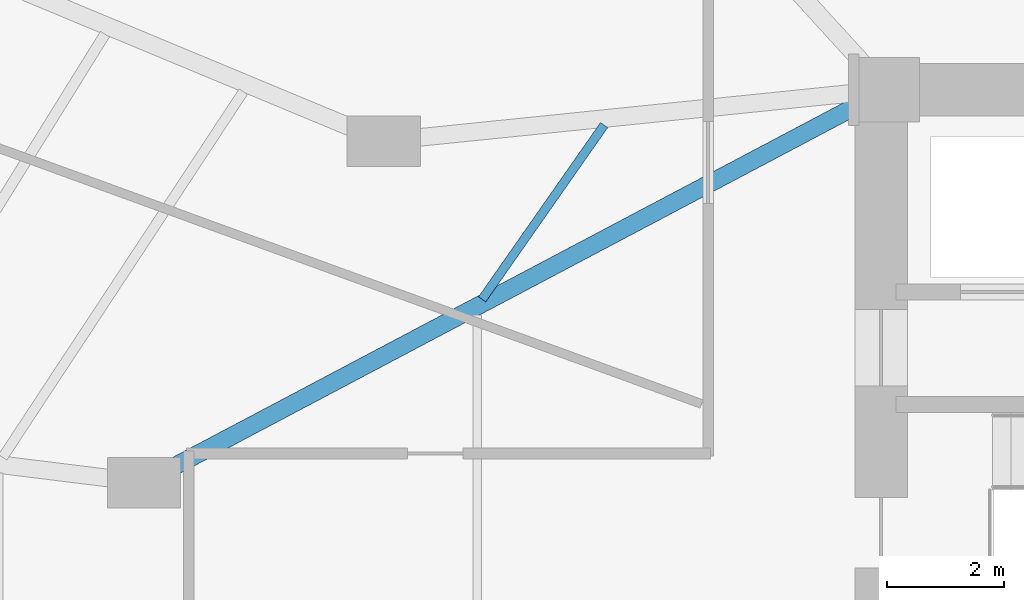
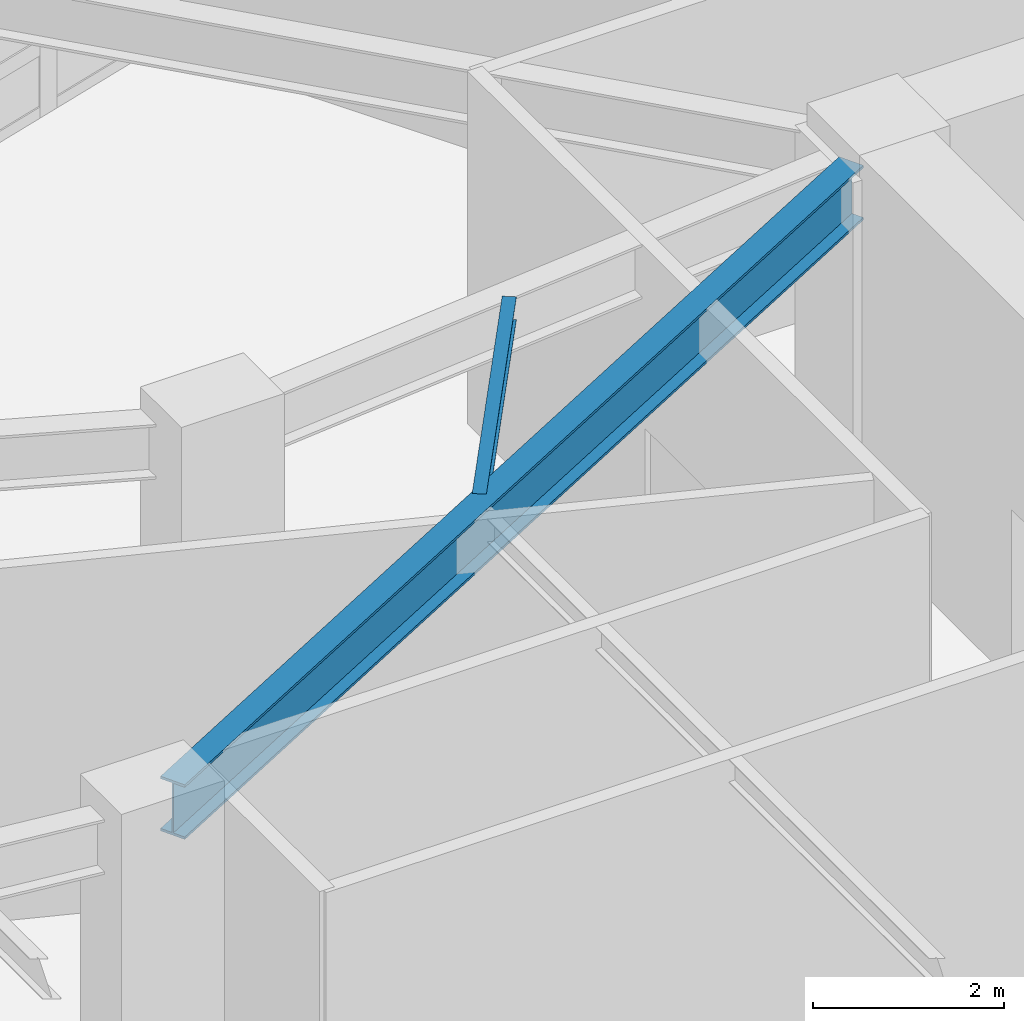
# One storey, part 9 of 24: 2 beams.
"""IFC4 building model written with IfcOpenShell, lengths in metres."""

from ifc_helpers import new_model, si_unit, direction, frame, origin, origin_2d, place, context, subcontext, project, spatial, i_section, extrude, material, material_profile, profile_set, type_object, element, save


model = new_model("IFC4")

# Units and contexts
model_context = context("Model", 3, precision=1e-05, world=origin(), true_north=direction((0.0, 1.0)))
body_context = subcontext(model_context, "Body", "Model", "MODEL_VIEW")
ifc_project = project(units=[si_unit("LENGTHUNIT", "METRE"), si_unit("AREAUNIT", "SQUARE_METRE"), si_unit("VOLUMEUNIT", "CUBIC_METRE"), si_unit("PLANEANGLEUNIT", "RADIAN"), si_unit("MASSUNIT", "GRAM", prefix="KILO")], contexts=[model_context])

# Site, building, storey
site_placement = place(None, origin())
site = spatial("IfcSite", under=ifc_project, at=site_placement, CompositionType="ELEMENT")
building_placement = place(site_placement, origin())
building = spatial("IfcBuilding", under=site, at=building_placement, Name="Lazwardi Medical Tower", CompositionType="ELEMENT")
storey_placement = place(building_placement, frame((0.0, 0.0, 15.60009765625)))
storey = spatial("IfcBuildingStorey", under=building, at=storey_placement, Name="L03", CompositionType="ELEMENT", Elevation=15.60009765625)

# Beams
ifc_material = material(Name="Steel S355", Category="steel")
ifc_material_profile_1 = material_profile(ifc_material, i_section(OverallWidth=0.300048828125, OverallDepth=0.699951171875, WebThickness=0.01708984375, FlangeThickness=0.031982421875, at=origin_2d()), Name="HEB 700")
ifc_profile_set_1 = profile_set([ifc_material_profile_1], Name="Steel S355")
beam_type_1 = type_object("IfcBeamType", Name="BM-RG-P1", PredefinedType="BEAM", material=ifc_profile_set_1)
beam_1_placement = place(storey_placement, frame((14.090576171875, 29.093017578125, 4.169921875), z_axis=(0.884073844977, 0.467347233466, 0.0), x_axis=(-0.467347233466, 0.884073844977, 0.0)))
element("IfcBeam", 1, at=beam_1_placement, inside=storey, type_object=beam_type_1, Name="Radial girder RG-01 R12B L03", PredefinedType="BEAM", context=body_context, shape_type="SweptSolid", body=[
    extrude(i_section(OverallWidth=0.300048828125, OverallDepth=0.699951171875, WebThickness=0.01708984375, FlangeThickness=0.031982421875, at=origin_2d()), origin(), (0.0, 0.0, 1.0), 13.388427734375),
])
ifc_material_profile_2 = material_profile(ifc_material, i_section(OverallWidth=0.14990234375, OverallDepth=0.300048828125, WebThickness=0.007080078125, FlangeThickness=0.0107421875, at=origin_2d()), Name="IPE 300")
ifc_profile_set_2 = profile_set([ifc_material_profile_2], Name="Steel S355")
beam_type_2 = type_object("IfcBeamType", Name="BM-SJ-03", PredefinedType="JOIST", material=ifc_profile_set_2)
beam_2_placement = place(storey_placement, frame((21.578857421875, 34.997314453125, 4.369873046875), z_axis=(-0.573439745267, -0.819247739422, 0.0), x_axis=(0.819247739422, -0.573439745267, 0.0)))
element("IfcBeam", 2, at=beam_2_placement, inside=storey, type_object=beam_type_2, Name="Secondary joist SJ-03 RI1 B11 L03", PredefinedType="JOIST", context=body_context, shape_type="SweptSolid", body=[
    extrude(i_section(OverallWidth=0.14990234375, OverallDepth=0.300048828125, WebThickness=0.007080078125, FlangeThickness=0.0107421875, at=origin_2d()), origin(), (0.0, 0.0, 1.0), 3.625244140625),
])

save(model, "model.ifc")
